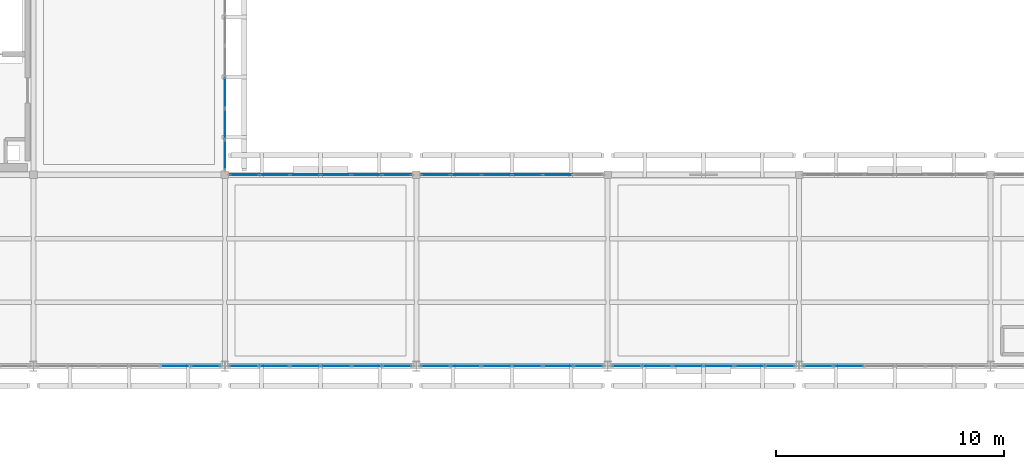
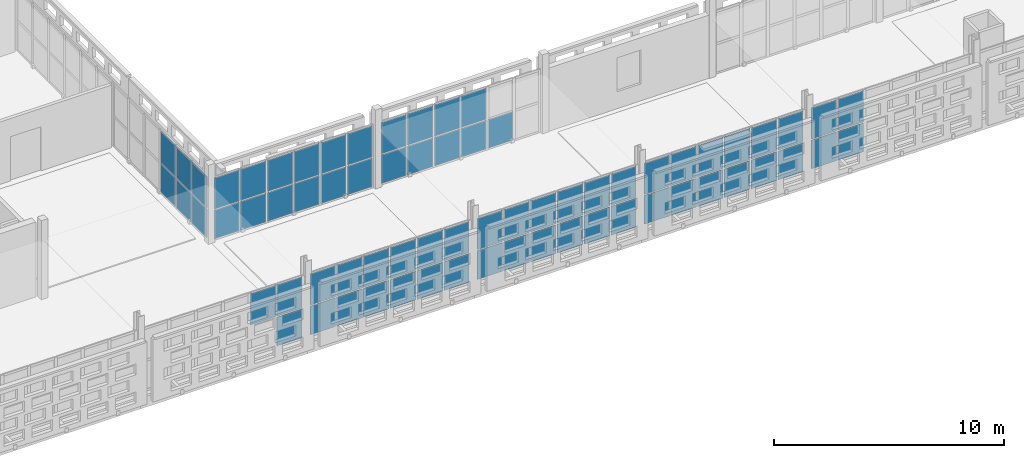
# One storey, part 76 of 140: 70 plates, 8 elements without a shape of their own.
"""IFC4 building model written with IfcOpenShell, lengths in metres."""

from ifc_helpers import new_model, si_unit, direction, frame, origin, origin_2d, place, context, subcontext, project, spatial, rectangle, extrude, material, layer, layer_set, type_object, element, aggregate, save


model = new_model("IFC4")

# Units and contexts
model_context = context("Model", 3, precision=1e-05, world=origin(), true_north=direction((0.0, 1.0)))
body_context = subcontext(model_context, "Body", "Model", "MODEL_VIEW")
ifc_project = project(units=[si_unit("LENGTHUNIT", "METRE"), si_unit("AREAUNIT", "SQUARE_METRE"), si_unit("VOLUMEUNIT", "CUBIC_METRE"), si_unit("PLANEANGLEUNIT", "RADIAN"), si_unit("MASSUNIT", "GRAM", prefix="KILO")], contexts=[model_context])

# Site, building, storey
site_placement = place(None, origin())
site = spatial("IfcSite", under=ifc_project, at=site_placement, CompositionType="ELEMENT")
building_placement = place(site_placement, origin())
building = spatial("IfcBuilding", under=site, at=building_placement, Name="Varnapada Polytechnic", CompositionType="ELEMENT")
storey_placement = place(building_placement, frame((0.0, 0.0, 13.800048828125)))
storey = spatial("IfcBuildingStorey", under=building, at=storey_placement, Name="L03", CompositionType="ELEMENT", Elevation=13.800048828125)

# Curtain wall, plates
ifc_material = material(Name="Double low-E laminated glass", Category="glass")
ifc_layer_1 = layer(ifc_material, 0.159912109375)
ifc_layer_set_1 = layer_set([ifc_layer_1], Name="Double low-E laminated glass")
curtain_wall_type_1 = type_object("IfcCurtainWallType", Name="Curtain Wall CW-01", PredefinedType="NOTDEFINED", material=ifc_layer_set_1)
curtain_wall_1_placement = place(storey_placement, origin())
curtain_wall_1 = element("IfcCurtainWall", 1, at=curtain_wall_1_placement, inside=storey, type_object=curtain_wall_type_1, Name="L03 unitised curtain wall CW-01 (229)", PredefinedType="NOTDEFINED")
ifc_layer_2 = layer(ifc_material, 0.028076171875)
ifc_layer_set_2 = layer_set([ifc_layer_2], Name="Double low-E laminated glass")
plate_type = type_object("IfcPlateType", Name="Curtain Panel PNL-01", PredefinedType="CURTAIN_PANEL", material=ifc_layer_set_2)
plate_1_placement = place(storey_placement, frame((66.360107421875, 84.0, 0.06005859375), z_axis=(0.0, 0.0, 1.0), x_axis=(-1.0, 0.0, 0.0)))
plate_1 = element("IfcPlate", 2, at=plate_1_placement, type_object=plate_type, Name="CW-01 panel 1.1", PredefinedType="CURTAIN_PANEL", context=body_context, shape_type="SweptSolid", body=[
    extrude(rectangle(XDim=1.260009765625, YDim=0.028076171875, at=origin_2d()), origin(), (0.0, 0.0, 1.0), 1.522705078125),
])
plate_2_placement = place(storey_placement, frame((66.360107421875, 84.0, 1.642822265625), z_axis=(0.0, 0.0, 1.0), x_axis=(-1.0, 0.0, 0.0)))
plate_2 = element("IfcPlate", 3, at=plate_2_placement, type_object=plate_type, Name="CW-01 panel 1.2", PredefinedType="CURTAIN_PANEL", context=body_context, shape_type="SweptSolid", body=[
    extrude(rectangle(XDim=1.260009765625, YDim=0.028076171875, at=origin_2d()), origin(), (0.0, 0.0, 1.0), 1.6572265625),
])
plate_3_placement = place(storey_placement, frame((65.02490234375, 84.0, 1.642822265625), z_axis=(0.0, 0.0, 1.0), x_axis=(-1.0, 0.0, 0.0)))
plate_3 = element("IfcPlate", 4, at=plate_3_placement, type_object=plate_type, Name="CW-01 panel 2.2", PredefinedType="CURTAIN_PANEL", context=body_context, shape_type="SweptSolid", body=[
    extrude(rectangle(XDim=1.2900390625, YDim=0.028076171875, at=origin_2d()), origin(), (0.0, 0.0, 1.0), 1.6572265625),
])
aggregate(curtain_wall_1, [plate_1, plate_2, plate_3])

ifc_layer_3 = layer(ifc_material, 0.159912109375)
ifc_layer_set_3 = layer_set([ifc_layer_3], Name="Double low-E laminated glass")
curtain_wall_type_2 = type_object("IfcCurtainWallType", Name="Curtain Wall CW-02", PredefinedType="NOTDEFINED", material=ifc_layer_set_3)
curtain_wall_2_placement = place(storey_placement, origin())
curtain_wall_2 = element("IfcCurtainWall", 5, at=curtain_wall_2_placement, inside=storey, type_object=curtain_wall_type_2, Name="L03 unitised curtain wall CW-02 (230)", PredefinedType="NOTDEFINED")
plate_4_placement = place(storey_placement, frame((67.199951171875, 95.999267578125, 0.06005859375), z_axis=(0.0, 0.0, 1.0), x_axis=(0.0, -1.0, 0.0)))
plate_4 = element("IfcPlate", 6, at=plate_4_placement, type_object=plate_type, Name="CW-02 panel 4.1", PredefinedType="CURTAIN_PANEL", context=body_context, shape_type="SweptSolid", body=[
    extrude(rectangle(XDim=1.311767578125, YDim=0.028076171875, at=origin_2d()), origin(), (0.0, 0.0, 1.0), 1.522705078125),
])
plate_5_placement = place(storey_placement, frame((67.199951171875, 95.999267578125, 1.642822265625), z_axis=(0.0, 0.0, 1.0), x_axis=(0.0, -1.0, 0.0)))
plate_5 = element("IfcPlate", 7, at=plate_5_placement, type_object=plate_type, Name="CW-02 panel 4.2", PredefinedType="CURTAIN_PANEL", context=body_context, shape_type="SweptSolid", body=[
    extrude(rectangle(XDim=1.311767578125, YDim=0.028076171875, at=origin_2d()), origin(), (0.0, 0.0, 1.0), 1.6572265625),
])
plate_6_placement = place(storey_placement, frame((67.199951171875, 94.62744140625, 0.06005859375), z_axis=(0.0, 0.0, 1.0), x_axis=(0.0, -1.0, 0.0)))
plate_6 = element("IfcPlate", 8, at=plate_6_placement, type_object=plate_type, Name="CW-02 panel 5.1", PredefinedType="CURTAIN_PANEL", context=body_context, shape_type="SweptSolid", body=[
    extrude(rectangle(XDim=1.311767578125, YDim=0.028076171875, at=origin_2d()), origin(), (0.0, 0.0, 1.0), 1.522705078125),
])
plate_7_placement = place(storey_placement, frame((67.199951171875, 94.62744140625, 1.642822265625), z_axis=(0.0, 0.0, 1.0), x_axis=(0.0, -1.0, 0.0)))
plate_7 = element("IfcPlate", 9, at=plate_7_placement, type_object=plate_type, Name="CW-02 panel 5.2", PredefinedType="CURTAIN_PANEL", context=body_context, shape_type="SweptSolid", body=[
    extrude(rectangle(XDim=1.311767578125, YDim=0.028076171875, at=origin_2d()), origin(), (0.0, 0.0, 1.0), 1.6572265625),
])
plate_8_placement = place(storey_placement, frame((67.199951171875, 93.270751953125, 0.06005859375), z_axis=(0.0, 0.0, 1.0), x_axis=(0.0, -1.0, 0.0)))
plate_8 = element("IfcPlate", 10, at=plate_8_placement, type_object=plate_type, Name="CW-02 panel 6.1", PredefinedType="CURTAIN_PANEL", context=body_context, shape_type="SweptSolid", body=[
    extrude(rectangle(XDim=1.28173828125, YDim=0.028076171875, at=origin_2d()), origin(), (0.0, 0.0, 1.0), 1.522705078125),
])
plate_9_placement = place(storey_placement, frame((67.199951171875, 93.270751953125, 1.642822265625), z_axis=(0.0, 0.0, 1.0), x_axis=(0.0, -1.0, 0.0)))
plate_9 = element("IfcPlate", 11, at=plate_9_placement, type_object=plate_type, Name="CW-02 panel 6.2", PredefinedType="CURTAIN_PANEL", context=body_context, shape_type="SweptSolid", body=[
    extrude(rectangle(XDim=1.28173828125, YDim=0.028076171875, at=origin_2d()), origin(), (0.0, 0.0, 1.0), 1.6572265625),
])
aggregate(curtain_wall_2, [plate_4, plate_5, plate_6, plate_7, plate_8, plate_9])

curtain_wall_3_placement = place(storey_placement, origin())
curtain_wall_3 = element("IfcCurtainWall", 12, at=curtain_wall_3_placement, inside=storey, type_object=curtain_wall_type_1, Name="L03 unitised curtain wall CW-01 (234)", PredefinedType="NOTDEFINED")
plate_10_placement = place(storey_placement, frame((74.760009765625, 84.0, 0.06005859375), z_axis=(0.0, 0.0, 1.0), x_axis=(-1.0, 0.0, 0.0)))
plate_10 = element("IfcPlate", 13, at=plate_10_placement, type_object=plate_type, Name="CW-01 panel 1.1", PredefinedType="CURTAIN_PANEL", context=body_context, shape_type="SweptSolid", body=[
    extrude(rectangle(XDim=1.260009765625, YDim=0.028076171875, at=origin_2d()), origin(), (0.0, 0.0, 1.0), 1.522705078125),
])
plate_11_placement = place(storey_placement, frame((74.760009765625, 84.0, 1.642822265625), z_axis=(0.0, 0.0, 1.0), x_axis=(-1.0, 0.0, 0.0)))
plate_11 = element("IfcPlate", 14, at=plate_11_placement, type_object=plate_type, Name="CW-01 panel 1.2", PredefinedType="CURTAIN_PANEL", context=body_context, shape_type="SweptSolid", body=[
    extrude(rectangle(XDim=1.260009765625, YDim=0.028076171875, at=origin_2d()), origin(), (0.0, 0.0, 1.0), 1.6572265625),
])
plate_12_placement = place(storey_placement, frame((73.425048828125, 84.0, 0.06005859375), z_axis=(0.0, 0.0, 1.0), x_axis=(-1.0, 0.0, 0.0)))
plate_12 = element("IfcPlate", 15, at=plate_12_placement, type_object=plate_type, Name="CW-01 panel 2.1", PredefinedType="CURTAIN_PANEL", context=body_context, shape_type="SweptSolid", body=[
    extrude(rectangle(XDim=1.2900390625, YDim=0.028076171875, at=origin_2d()), origin(), (0.0, 0.0, 1.0), 1.522705078125),
])
plate_13_placement = place(storey_placement, frame((73.425048828125, 84.0, 1.642822265625), z_axis=(0.0, 0.0, 1.0), x_axis=(-1.0, 0.0, 0.0)))
plate_13 = element("IfcPlate", 16, at=plate_13_placement, type_object=plate_type, Name="CW-01 panel 2.2", PredefinedType="CURTAIN_PANEL", context=body_context, shape_type="SweptSolid", body=[
    extrude(rectangle(XDim=1.2900390625, YDim=0.028076171875, at=origin_2d()), origin(), (0.0, 0.0, 1.0), 1.6572265625),
])
plate_14_placement = place(storey_placement, frame((72.074951171875, 84.0, 0.06005859375), z_axis=(0.0, 0.0, 1.0), x_axis=(-1.0, 0.0, 0.0)))
plate_14 = element("IfcPlate", 17, at=plate_14_placement, type_object=plate_type, Name="CW-01 panel 3.1", PredefinedType="CURTAIN_PANEL", context=body_context, shape_type="SweptSolid", body=[
    extrude(rectangle(XDim=1.2900390625, YDim=0.028076171875, at=origin_2d()), origin(), (0.0, 0.0, 1.0), 1.522705078125),
])
plate_15_placement = place(storey_placement, frame((72.074951171875, 84.0, 1.642822265625), z_axis=(0.0, 0.0, 1.0), x_axis=(-1.0, 0.0, 0.0)))
plate_15 = element("IfcPlate", 18, at=plate_15_placement, type_object=plate_type, Name="CW-01 panel 3.2", PredefinedType="CURTAIN_PANEL", context=body_context, shape_type="SweptSolid", body=[
    extrude(rectangle(XDim=1.2900390625, YDim=0.028076171875, at=origin_2d()), origin(), (0.0, 0.0, 1.0), 1.6572265625),
])
plate_16_placement = place(storey_placement, frame((70.72509765625, 84.0, 0.06005859375), z_axis=(0.0, 0.0, 1.0), x_axis=(-1.0, 0.0, 0.0)))
plate_16 = element("IfcPlate", 19, at=plate_16_placement, type_object=plate_type, Name="CW-01 panel 4.1", PredefinedType="CURTAIN_PANEL", context=body_context, shape_type="SweptSolid", body=[
    extrude(rectangle(XDim=1.2900390625, YDim=0.028076171875, at=origin_2d()), origin(), (0.0, 0.0, 1.0), 1.522705078125),
])
plate_17_placement = place(storey_placement, frame((70.72509765625, 84.0, 1.642822265625), z_axis=(0.0, 0.0, 1.0), x_axis=(-1.0, 0.0, 0.0)))
plate_17 = element("IfcPlate", 20, at=plate_17_placement, type_object=plate_type, Name="CW-01 panel 4.2", PredefinedType="CURTAIN_PANEL", context=body_context, shape_type="SweptSolid", body=[
    extrude(rectangle(XDim=1.2900390625, YDim=0.028076171875, at=origin_2d()), origin(), (0.0, 0.0, 1.0), 1.6572265625),
])
plate_18_placement = place(storey_placement, frame((69.375, 84.0, 0.06005859375), z_axis=(0.0, 0.0, 1.0), x_axis=(-1.0, 0.0, 0.0)))
plate_18 = element("IfcPlate", 21, at=plate_18_placement, type_object=plate_type, Name="CW-01 panel 5.1", PredefinedType="CURTAIN_PANEL", context=body_context, shape_type="SweptSolid", body=[
    extrude(rectangle(XDim=1.2900390625, YDim=0.028076171875, at=origin_2d()), origin(), (0.0, 0.0, 1.0), 1.522705078125),
])
plate_19_placement = place(storey_placement, frame((69.375, 84.0, 1.642822265625), z_axis=(0.0, 0.0, 1.0), x_axis=(-1.0, 0.0, 0.0)))
plate_19 = element("IfcPlate", 22, at=plate_19_placement, type_object=plate_type, Name="CW-01 panel 5.2", PredefinedType="CURTAIN_PANEL", context=body_context, shape_type="SweptSolid", body=[
    extrude(rectangle(XDim=1.2900390625, YDim=0.028076171875, at=origin_2d()), origin(), (0.0, 0.0, 1.0), 1.6572265625),
])
plate_20_placement = place(storey_placement, frame((68.0400390625, 84.0, 0.06005859375), z_axis=(0.0, 0.0, 1.0), x_axis=(-1.0, 0.0, 0.0)))
plate_20 = element("IfcPlate", 23, at=plate_20_placement, type_object=plate_type, Name="CW-01 panel 6.1", PredefinedType="CURTAIN_PANEL", context=body_context, shape_type="SweptSolid", body=[
    extrude(rectangle(XDim=1.260009765625, YDim=0.028076171875, at=origin_2d()), origin(), (0.0, 0.0, 1.0), 1.522705078125),
])
plate_21_placement = place(storey_placement, frame((68.0400390625, 84.0, 1.642822265625), z_axis=(0.0, 0.0, 1.0), x_axis=(-1.0, 0.0, 0.0)))
plate_21 = element("IfcPlate", 24, at=plate_21_placement, type_object=plate_type, Name="CW-01 panel 6.2", PredefinedType="CURTAIN_PANEL", context=body_context, shape_type="SweptSolid", body=[
    extrude(rectangle(XDim=1.260009765625, YDim=0.028076171875, at=origin_2d()), origin(), (0.0, 0.0, 1.0), 1.6572265625),
])
aggregate(curtain_wall_3, [plate_10, plate_11, plate_12, plate_13, plate_14, plate_15, plate_16, plate_17, plate_18, plate_19, plate_20, plate_21])

curtain_wall_4_placement = place(storey_placement, origin())
curtain_wall_4 = element("IfcCurtainWall", 25, at=curtain_wall_4_placement, inside=storey, type_object=curtain_wall_type_2, Name="L03 unitised curtain wall CW-02 (235)", PredefinedType="NOTDEFINED")
plate_22_placement = place(storey_placement, frame((68.056640625, 92.39990234375, 0.06005859375), z_axis=(0.0, 0.0, 1.0), x_axis=(1.0, 0.0, 0.0)))
plate_22 = element("IfcPlate", 26, at=plate_22_placement, type_object=plate_type, Name="CW-02 panel 1.1", PredefinedType="CURTAIN_PANEL", context=body_context, shape_type="SweptSolid", body=[
    extrude(rectangle(XDim=1.25341796875, YDim=0.028076171875, at=origin_2d()), origin(), (0.0, 0.0, 1.0), 1.522705078125),
])
plate_23_placement = place(storey_placement, frame((68.056640625, 92.39990234375, 1.642822265625), z_axis=(0.0, 0.0, 1.0), x_axis=(1.0, 0.0, 0.0)))
plate_23 = element("IfcPlate", 27, at=plate_23_placement, type_object=plate_type, Name="CW-02 panel 1.2", PredefinedType="CURTAIN_PANEL", context=body_context, shape_type="SweptSolid", body=[
    extrude(rectangle(XDim=1.25341796875, YDim=0.028076171875, at=origin_2d()), origin(), (0.0, 0.0, 1.0), 1.6572265625),
])
plate_24_placement = place(storey_placement, frame((69.385009765625, 92.39990234375, 0.06005859375), z_axis=(0.0, 0.0, 1.0), x_axis=(1.0, 0.0, 0.0)))
plate_24 = element("IfcPlate", 28, at=plate_24_placement, type_object=plate_type, Name="CW-02 panel 2.1", PredefinedType="CURTAIN_PANEL", context=body_context, shape_type="SweptSolid", body=[
    extrude(rectangle(XDim=1.283447265625, YDim=0.028076171875, at=origin_2d()), origin(), (0.0, 0.0, 1.0), 1.522705078125),
])
plate_25_placement = place(storey_placement, frame((69.385009765625, 92.39990234375, 1.642822265625), z_axis=(0.0, 0.0, 1.0), x_axis=(1.0, 0.0, 0.0)))
plate_25 = element("IfcPlate", 29, at=plate_25_placement, type_object=plate_type, Name="CW-02 panel 2.2", PredefinedType="CURTAIN_PANEL", context=body_context, shape_type="SweptSolid", body=[
    extrude(rectangle(XDim=1.283447265625, YDim=0.028076171875, at=origin_2d()), origin(), (0.0, 0.0, 1.0), 1.6572265625),
])
plate_26_placement = place(storey_placement, frame((70.728271484375, 92.39990234375, 0.06005859375), z_axis=(0.0, 0.0, 1.0), x_axis=(1.0, 0.0, 0.0)))
plate_26 = element("IfcPlate", 30, at=plate_26_placement, type_object=plate_type, Name="CW-02 panel 3.1", PredefinedType="CURTAIN_PANEL", context=body_context, shape_type="SweptSolid", body=[
    extrude(rectangle(XDim=1.283447265625, YDim=0.028076171875, at=origin_2d()), origin(), (0.0, 0.0, 1.0), 1.522705078125),
])
plate_27_placement = place(storey_placement, frame((70.728271484375, 92.39990234375, 1.642822265625), z_axis=(0.0, 0.0, 1.0), x_axis=(1.0, 0.0, 0.0)))
plate_27 = element("IfcPlate", 31, at=plate_27_placement, type_object=plate_type, Name="CW-02 panel 3.2", PredefinedType="CURTAIN_PANEL", context=body_context, shape_type="SweptSolid", body=[
    extrude(rectangle(XDim=1.283447265625, YDim=0.028076171875, at=origin_2d()), origin(), (0.0, 0.0, 1.0), 1.6572265625),
])
plate_28_placement = place(storey_placement, frame((72.07177734375, 92.39990234375, 0.06005859375), z_axis=(0.0, 0.0, 1.0), x_axis=(1.0, 0.0, 0.0)))
plate_28 = element("IfcPlate", 32, at=plate_28_placement, type_object=plate_type, Name="CW-02 panel 4.1", PredefinedType="CURTAIN_PANEL", context=body_context, shape_type="SweptSolid", body=[
    extrude(rectangle(XDim=1.283447265625, YDim=0.028076171875, at=origin_2d()), origin(), (0.0, 0.0, 1.0), 1.522705078125),
])
plate_29_placement = place(storey_placement, frame((72.07177734375, 92.39990234375, 1.642822265625), z_axis=(0.0, 0.0, 1.0), x_axis=(1.0, 0.0, 0.0)))
plate_29 = element("IfcPlate", 33, at=plate_29_placement, type_object=plate_type, Name="CW-02 panel 4.2", PredefinedType="CURTAIN_PANEL", context=body_context, shape_type="SweptSolid", body=[
    extrude(rectangle(XDim=1.283447265625, YDim=0.028076171875, at=origin_2d()), origin(), (0.0, 0.0, 1.0), 1.6572265625),
])
plate_30_placement = place(storey_placement, frame((73.4150390625, 92.39990234375, 0.06005859375), z_axis=(0.0, 0.0, 1.0), x_axis=(1.0, 0.0, 0.0)))
plate_30 = element("IfcPlate", 34, at=plate_30_placement, type_object=plate_type, Name="CW-02 panel 5.1", PredefinedType="CURTAIN_PANEL", context=body_context, shape_type="SweptSolid", body=[
    extrude(rectangle(XDim=1.283447265625, YDim=0.028076171875, at=origin_2d()), origin(), (0.0, 0.0, 1.0), 1.522705078125),
])
plate_31_placement = place(storey_placement, frame((73.4150390625, 92.39990234375, 1.642822265625), z_axis=(0.0, 0.0, 1.0), x_axis=(1.0, 0.0, 0.0)))
plate_31 = element("IfcPlate", 35, at=plate_31_placement, type_object=plate_type, Name="CW-02 panel 5.2", PredefinedType="CURTAIN_PANEL", context=body_context, shape_type="SweptSolid", body=[
    extrude(rectangle(XDim=1.283447265625, YDim=0.028076171875, at=origin_2d()), origin(), (0.0, 0.0, 1.0), 1.6572265625),
])
plate_32_placement = place(storey_placement, frame((74.743408203125, 92.39990234375, 0.06005859375), z_axis=(0.0, 0.0, 1.0), x_axis=(1.0, 0.0, 0.0)))
plate_32 = element("IfcPlate", 36, at=plate_32_placement, type_object=plate_type, Name="CW-02 panel 6.1", PredefinedType="CURTAIN_PANEL", context=body_context, shape_type="SweptSolid", body=[
    extrude(rectangle(XDim=1.25341796875, YDim=0.028076171875, at=origin_2d()), origin(), (0.0, 0.0, 1.0), 1.522705078125),
])
plate_33_placement = place(storey_placement, frame((74.743408203125, 92.39990234375, 1.642822265625), z_axis=(0.0, 0.0, 1.0), x_axis=(1.0, 0.0, 0.0)))
plate_33 = element("IfcPlate", 37, at=plate_33_placement, type_object=plate_type, Name="CW-02 panel 6.2", PredefinedType="CURTAIN_PANEL", context=body_context, shape_type="SweptSolid", body=[
    extrude(rectangle(XDim=1.25341796875, YDim=0.028076171875, at=origin_2d()), origin(), (0.0, 0.0, 1.0), 1.6572265625),
])
aggregate(curtain_wall_4, [plate_22, plate_23, plate_24, plate_25, plate_26, plate_27, plate_28, plate_29, plate_30, plate_31, plate_32, plate_33])

curtain_wall_5_placement = place(storey_placement, origin())
curtain_wall_5 = element("IfcCurtainWall", 38, at=curtain_wall_5_placement, inside=storey, type_object=curtain_wall_type_1, Name="L03 unitised curtain wall CW-01 (236)", PredefinedType="NOTDEFINED")
plate_34_placement = place(storey_placement, frame((83.159912109375, 84.0, 0.06005859375), z_axis=(0.0, 0.0, 1.0), x_axis=(-1.0, 0.0, 0.0)))
plate_34 = element("IfcPlate", 39, at=plate_34_placement, type_object=plate_type, Name="CW-01 panel 1.1", PredefinedType="CURTAIN_PANEL", context=body_context, shape_type="SweptSolid", body=[
    extrude(rectangle(XDim=1.260009765625, YDim=0.028076171875, at=origin_2d()), origin(), (0.0, 0.0, 1.0), 1.522705078125),
])
plate_35_placement = place(storey_placement, frame((83.159912109375, 84.0, 1.642822265625), z_axis=(0.0, 0.0, 1.0), x_axis=(-1.0, 0.0, 0.0)))
plate_35 = element("IfcPlate", 40, at=plate_35_placement, type_object=plate_type, Name="CW-01 panel 1.2", PredefinedType="CURTAIN_PANEL", context=body_context, shape_type="SweptSolid", body=[
    extrude(rectangle(XDim=1.260009765625, YDim=0.028076171875, at=origin_2d()), origin(), (0.0, 0.0, 1.0), 1.6572265625),
])
plate_36_placement = place(storey_placement, frame((81.824951171875, 84.0, 0.06005859375), z_axis=(0.0, 0.0, 1.0), x_axis=(-1.0, 0.0, 0.0)))
plate_36 = element("IfcPlate", 41, at=plate_36_placement, type_object=plate_type, Name="CW-01 panel 2.1", PredefinedType="CURTAIN_PANEL", context=body_context, shape_type="SweptSolid", body=[
    extrude(rectangle(XDim=1.2900390625, YDim=0.028076171875, at=origin_2d()), origin(), (0.0, 0.0, 1.0), 1.522705078125),
])
plate_37_placement = place(storey_placement, frame((81.824951171875, 84.0, 1.642822265625), z_axis=(0.0, 0.0, 1.0), x_axis=(-1.0, 0.0, 0.0)))
plate_37 = element("IfcPlate", 42, at=plate_37_placement, type_object=plate_type, Name="CW-01 panel 2.2", PredefinedType="CURTAIN_PANEL", context=body_context, shape_type="SweptSolid", body=[
    extrude(rectangle(XDim=1.2900390625, YDim=0.028076171875, at=origin_2d()), origin(), (0.0, 0.0, 1.0), 1.6572265625),
])
plate_38_placement = place(storey_placement, frame((80.47509765625, 84.0, 0.06005859375), z_axis=(0.0, 0.0, 1.0), x_axis=(-1.0, 0.0, 0.0)))
plate_38 = element("IfcPlate", 43, at=plate_38_placement, type_object=plate_type, Name="CW-01 panel 3.1", PredefinedType="CURTAIN_PANEL", context=body_context, shape_type="SweptSolid", body=[
    extrude(rectangle(XDim=1.2900390625, YDim=0.028076171875, at=origin_2d()), origin(), (0.0, 0.0, 1.0), 1.522705078125),
])
plate_39_placement = place(storey_placement, frame((80.47509765625, 84.0, 1.642822265625), z_axis=(0.0, 0.0, 1.0), x_axis=(-1.0, 0.0, 0.0)))
plate_39 = element("IfcPlate", 44, at=plate_39_placement, type_object=plate_type, Name="CW-01 panel 3.2", PredefinedType="CURTAIN_PANEL", context=body_context, shape_type="SweptSolid", body=[
    extrude(rectangle(XDim=1.2900390625, YDim=0.028076171875, at=origin_2d()), origin(), (0.0, 0.0, 1.0), 1.6572265625),
])
plate_40_placement = place(storey_placement, frame((79.125, 84.0, 0.06005859375), z_axis=(0.0, 0.0, 1.0), x_axis=(-1.0, 0.0, 0.0)))
plate_40 = element("IfcPlate", 45, at=plate_40_placement, type_object=plate_type, Name="CW-01 panel 4.1", PredefinedType="CURTAIN_PANEL", context=body_context, shape_type="SweptSolid", body=[
    extrude(rectangle(XDim=1.2900390625, YDim=0.028076171875, at=origin_2d()), origin(), (0.0, 0.0, 1.0), 1.522705078125),
])
plate_41_placement = place(storey_placement, frame((79.125, 84.0, 1.642822265625), z_axis=(0.0, 0.0, 1.0), x_axis=(-1.0, 0.0, 0.0)))
plate_41 = element("IfcPlate", 46, at=plate_41_placement, type_object=plate_type, Name="CW-01 panel 4.2", PredefinedType="CURTAIN_PANEL", context=body_context, shape_type="SweptSolid", body=[
    extrude(rectangle(XDim=1.2900390625, YDim=0.028076171875, at=origin_2d()), origin(), (0.0, 0.0, 1.0), 1.6572265625),
])
plate_42_placement = place(storey_placement, frame((77.77490234375, 84.0, 0.06005859375), z_axis=(0.0, 0.0, 1.0), x_axis=(-1.0, 0.0, 0.0)))
plate_42 = element("IfcPlate", 47, at=plate_42_placement, type_object=plate_type, Name="CW-01 panel 5.1", PredefinedType="CURTAIN_PANEL", context=body_context, shape_type="SweptSolid", body=[
    extrude(rectangle(XDim=1.2900390625, YDim=0.028076171875, at=origin_2d()), origin(), (0.0, 0.0, 1.0), 1.522705078125),
])
plate_43_placement = place(storey_placement, frame((77.77490234375, 84.0, 1.642822265625), z_axis=(0.0, 0.0, 1.0), x_axis=(-1.0, 0.0, 0.0)))
plate_43 = element("IfcPlate", 48, at=plate_43_placement, type_object=plate_type, Name="CW-01 panel 5.2", PredefinedType="CURTAIN_PANEL", context=body_context, shape_type="SweptSolid", body=[
    extrude(rectangle(XDim=1.2900390625, YDim=0.028076171875, at=origin_2d()), origin(), (0.0, 0.0, 1.0), 1.6572265625),
])
plate_44_placement = place(storey_placement, frame((76.43994140625, 84.0, 0.06005859375), z_axis=(0.0, 0.0, 1.0), x_axis=(-1.0, 0.0, 0.0)))
plate_44 = element("IfcPlate", 49, at=plate_44_placement, type_object=plate_type, Name="CW-01 panel 6.1", PredefinedType="CURTAIN_PANEL", context=body_context, shape_type="SweptSolid", body=[
    extrude(rectangle(XDim=1.260009765625, YDim=0.028076171875, at=origin_2d()), origin(), (0.0, 0.0, 1.0), 1.522705078125),
])
plate_45_placement = place(storey_placement, frame((76.43994140625, 84.0, 1.642822265625), z_axis=(0.0, 0.0, 1.0), x_axis=(-1.0, 0.0, 0.0)))
plate_45 = element("IfcPlate", 50, at=plate_45_placement, type_object=plate_type, Name="CW-01 panel 6.2", PredefinedType="CURTAIN_PANEL", context=body_context, shape_type="SweptSolid", body=[
    extrude(rectangle(XDim=1.260009765625, YDim=0.028076171875, at=origin_2d()), origin(), (0.0, 0.0, 1.0), 1.6572265625),
])
aggregate(curtain_wall_5, [plate_34, plate_35, plate_36, plate_37, plate_38, plate_39, plate_40, plate_41, plate_42, plate_43, plate_44, plate_45])

curtain_wall_6_placement = place(storey_placement, origin())
curtain_wall_6 = element("IfcCurtainWall", 51, at=curtain_wall_6_placement, inside=storey, type_object=curtain_wall_type_2, Name="L03 unitised curtain wall CW-02 (237)", PredefinedType="NOTDEFINED")
plate_46_placement = place(storey_placement, frame((76.456787109375, 92.39990234375, 0.06005859375), z_axis=(0.0, 0.0, 1.0), x_axis=(1.0, 0.0, 0.0)))
plate_46 = element("IfcPlate", 52, at=plate_46_placement, type_object=plate_type, Name="CW-02 panel 1.1", PredefinedType="CURTAIN_PANEL", context=body_context, shape_type="SweptSolid", body=[
    extrude(rectangle(XDim=1.25341796875, YDim=0.028076171875, at=origin_2d()), origin(), (0.0, 0.0, 1.0), 1.522705078125),
])
plate_47_placement = place(storey_placement, frame((76.456787109375, 92.39990234375, 1.642822265625), z_axis=(0.0, 0.0, 1.0), x_axis=(1.0, 0.0, 0.0)))
plate_47 = element("IfcPlate", 53, at=plate_47_placement, type_object=plate_type, Name="CW-02 panel 1.2", PredefinedType="CURTAIN_PANEL", context=body_context, shape_type="SweptSolid", body=[
    extrude(rectangle(XDim=1.25341796875, YDim=0.028076171875, at=origin_2d()), origin(), (0.0, 0.0, 1.0), 1.6572265625),
])
plate_48_placement = place(storey_placement, frame((77.784912109375, 92.39990234375, 0.06005859375), z_axis=(0.0, 0.0, 1.0), x_axis=(1.0, 0.0, 0.0)))
plate_48 = element("IfcPlate", 54, at=plate_48_placement, type_object=plate_type, Name="CW-02 panel 2.1", PredefinedType="CURTAIN_PANEL", context=body_context, shape_type="SweptSolid", body=[
    extrude(rectangle(XDim=1.283447265625, YDim=0.028076171875, at=origin_2d()), origin(), (0.0, 0.0, 1.0), 1.522705078125),
])
plate_49_placement = place(storey_placement, frame((77.784912109375, 92.39990234375, 1.642822265625), z_axis=(0.0, 0.0, 1.0), x_axis=(1.0, 0.0, 0.0)))
plate_49 = element("IfcPlate", 55, at=plate_49_placement, type_object=plate_type, Name="CW-02 panel 2.2", PredefinedType="CURTAIN_PANEL", context=body_context, shape_type="SweptSolid", body=[
    extrude(rectangle(XDim=1.283447265625, YDim=0.028076171875, at=origin_2d()), origin(), (0.0, 0.0, 1.0), 1.6572265625),
])
plate_50_placement = place(storey_placement, frame((79.12841796875, 92.39990234375, 0.06005859375), z_axis=(0.0, 0.0, 1.0), x_axis=(1.0, 0.0, 0.0)))
plate_50 = element("IfcPlate", 56, at=plate_50_placement, type_object=plate_type, Name="CW-02 panel 3.1", PredefinedType="CURTAIN_PANEL", context=body_context, shape_type="SweptSolid", body=[
    extrude(rectangle(XDim=1.283447265625, YDim=0.028076171875, at=origin_2d()), origin(), (0.0, 0.0, 1.0), 1.522705078125),
])
plate_51_placement = place(storey_placement, frame((79.12841796875, 92.39990234375, 1.642822265625), z_axis=(0.0, 0.0, 1.0), x_axis=(1.0, 0.0, 0.0)))
plate_51 = element("IfcPlate", 57, at=plate_51_placement, type_object=plate_type, Name="CW-02 panel 3.2", PredefinedType="CURTAIN_PANEL", context=body_context, shape_type="SweptSolid", body=[
    extrude(rectangle(XDim=1.283447265625, YDim=0.028076171875, at=origin_2d()), origin(), (0.0, 0.0, 1.0), 1.6572265625),
])
plate_52_placement = place(storey_placement, frame((80.4716796875, 92.39990234375, 0.06005859375), z_axis=(0.0, 0.0, 1.0), x_axis=(1.0, 0.0, 0.0)))
plate_52 = element("IfcPlate", 58, at=plate_52_placement, type_object=plate_type, Name="CW-02 panel 4.1", PredefinedType="CURTAIN_PANEL", context=body_context, shape_type="SweptSolid", body=[
    extrude(rectangle(XDim=1.283447265625, YDim=0.028076171875, at=origin_2d()), origin(), (0.0, 0.0, 1.0), 1.522705078125),
])
plate_53_placement = place(storey_placement, frame((80.4716796875, 92.39990234375, 1.642822265625), z_axis=(0.0, 0.0, 1.0), x_axis=(1.0, 0.0, 0.0)))
plate_53 = element("IfcPlate", 59, at=plate_53_placement, type_object=plate_type, Name="CW-02 panel 4.2", PredefinedType="CURTAIN_PANEL", context=body_context, shape_type="SweptSolid", body=[
    extrude(rectangle(XDim=1.283447265625, YDim=0.028076171875, at=origin_2d()), origin(), (0.0, 0.0, 1.0), 1.6572265625),
])
plate_54_placement = place(storey_placement, frame((81.81494140625, 92.39990234375, 0.06005859375), z_axis=(0.0, 0.0, 1.0), x_axis=(1.0, 0.0, 0.0)))
plate_54 = element("IfcPlate", 60, at=plate_54_placement, type_object=plate_type, Name="CW-02 panel 5.1", PredefinedType="CURTAIN_PANEL", context=body_context, shape_type="SweptSolid", body=[
    extrude(rectangle(XDim=1.283447265625, YDim=0.028076171875, at=origin_2d()), origin(), (0.0, 0.0, 1.0), 1.522705078125),
])
aggregate(curtain_wall_6, [plate_46, plate_47, plate_48, plate_49, plate_50, plate_51, plate_52, plate_53, plate_54])

curtain_wall_7_placement = place(storey_placement, origin())
curtain_wall_7 = element("IfcCurtainWall", 61, at=curtain_wall_7_placement, inside=storey, type_object=curtain_wall_type_1, Name="L03 unitised curtain wall CW-01 (238)", PredefinedType="NOTDEFINED")
plate_55_placement = place(storey_placement, frame((91.56005859375, 84.0, 0.06005859375), z_axis=(0.0, 0.0, 1.0), x_axis=(-1.0, 0.0, 0.0)))
plate_55 = element("IfcPlate", 62, at=plate_55_placement, type_object=plate_type, Name="CW-01 panel 1.1", PredefinedType="CURTAIN_PANEL", context=body_context, shape_type="SweptSolid", body=[
    extrude(rectangle(XDim=1.260009765625, YDim=0.028076171875, at=origin_2d()), origin(), (0.0, 0.0, 1.0), 1.522705078125),
])
plate_56_placement = place(storey_placement, frame((91.56005859375, 84.0, 1.642822265625), z_axis=(0.0, 0.0, 1.0), x_axis=(-1.0, 0.0, 0.0)))
plate_56 = element("IfcPlate", 63, at=plate_56_placement, type_object=plate_type, Name="CW-01 panel 1.2", PredefinedType="CURTAIN_PANEL", context=body_context, shape_type="SweptSolid", body=[
    extrude(rectangle(XDim=1.260009765625, YDim=0.028076171875, at=origin_2d()), origin(), (0.0, 0.0, 1.0), 1.6572265625),
])
plate_57_placement = place(storey_placement, frame((90.22509765625, 84.0, 0.06005859375), z_axis=(0.0, 0.0, 1.0), x_axis=(-1.0, 0.0, 0.0)))
plate_57 = element("IfcPlate", 64, at=plate_57_placement, type_object=plate_type, Name="CW-01 panel 2.1", PredefinedType="CURTAIN_PANEL", context=body_context, shape_type="SweptSolid", body=[
    extrude(rectangle(XDim=1.2900390625, YDim=0.028076171875, at=origin_2d()), origin(), (0.0, 0.0, 1.0), 1.522705078125),
])
plate_58_placement = place(storey_placement, frame((90.22509765625, 84.0, 1.642822265625), z_axis=(0.0, 0.0, 1.0), x_axis=(-1.0, 0.0, 0.0)))
plate_58 = element("IfcPlate", 65, at=plate_58_placement, type_object=plate_type, Name="CW-01 panel 2.2", PredefinedType="CURTAIN_PANEL", context=body_context, shape_type="SweptSolid", body=[
    extrude(rectangle(XDim=1.2900390625, YDim=0.028076171875, at=origin_2d()), origin(), (0.0, 0.0, 1.0), 1.6572265625),
])
plate_59_placement = place(storey_placement, frame((88.875, 84.0, 0.06005859375), z_axis=(0.0, 0.0, 1.0), x_axis=(-1.0, 0.0, 0.0)))
plate_59 = element("IfcPlate", 66, at=plate_59_placement, type_object=plate_type, Name="CW-01 panel 3.1", PredefinedType="CURTAIN_PANEL", context=body_context, shape_type="SweptSolid", body=[
    extrude(rectangle(XDim=1.2900390625, YDim=0.028076171875, at=origin_2d()), origin(), (0.0, 0.0, 1.0), 1.522705078125),
])
plate_60_placement = place(storey_placement, frame((88.875, 84.0, 1.642822265625), z_axis=(0.0, 0.0, 1.0), x_axis=(-1.0, 0.0, 0.0)))
plate_60 = element("IfcPlate", 67, at=plate_60_placement, type_object=plate_type, Name="CW-01 panel 3.2", PredefinedType="CURTAIN_PANEL", context=body_context, shape_type="SweptSolid", body=[
    extrude(rectangle(XDim=1.2900390625, YDim=0.028076171875, at=origin_2d()), origin(), (0.0, 0.0, 1.0), 1.6572265625),
])
plate_61_placement = place(storey_placement, frame((87.52490234375, 84.0, 0.06005859375), z_axis=(0.0, 0.0, 1.0), x_axis=(-1.0, 0.0, 0.0)))
plate_61 = element("IfcPlate", 68, at=plate_61_placement, type_object=plate_type, Name="CW-01 panel 4.1", PredefinedType="CURTAIN_PANEL", context=body_context, shape_type="SweptSolid", body=[
    extrude(rectangle(XDim=1.2900390625, YDim=0.028076171875, at=origin_2d()), origin(), (0.0, 0.0, 1.0), 1.522705078125),
])
plate_62_placement = place(storey_placement, frame((87.52490234375, 84.0, 1.642822265625), z_axis=(0.0, 0.0, 1.0), x_axis=(-1.0, 0.0, 0.0)))
plate_62 = element("IfcPlate", 69, at=plate_62_placement, type_object=plate_type, Name="CW-01 panel 4.2", PredefinedType="CURTAIN_PANEL", context=body_context, shape_type="SweptSolid", body=[
    extrude(rectangle(XDim=1.2900390625, YDim=0.028076171875, at=origin_2d()), origin(), (0.0, 0.0, 1.0), 1.6572265625),
])
plate_63_placement = place(storey_placement, frame((86.175048828125, 84.0, 0.06005859375), z_axis=(0.0, 0.0, 1.0), x_axis=(-1.0, 0.0, 0.0)))
plate_63 = element("IfcPlate", 70, at=plate_63_placement, type_object=plate_type, Name="CW-01 panel 5.1", PredefinedType="CURTAIN_PANEL", context=body_context, shape_type="SweptSolid", body=[
    extrude(rectangle(XDim=1.2900390625, YDim=0.028076171875, at=origin_2d()), origin(), (0.0, 0.0, 1.0), 1.522705078125),
])
plate_64_placement = place(storey_placement, frame((86.175048828125, 84.0, 1.642822265625), z_axis=(0.0, 0.0, 1.0), x_axis=(-1.0, 0.0, 0.0)))
plate_64 = element("IfcPlate", 71, at=plate_64_placement, type_object=plate_type, Name="CW-01 panel 5.2", PredefinedType="CURTAIN_PANEL", context=body_context, shape_type="SweptSolid", body=[
    extrude(rectangle(XDim=1.2900390625, YDim=0.028076171875, at=origin_2d()), origin(), (0.0, 0.0, 1.0), 1.6572265625),
])
plate_65_placement = place(storey_placement, frame((84.840087890625, 84.0, 0.06005859375), z_axis=(0.0, 0.0, 1.0), x_axis=(-1.0, 0.0, 0.0)))
plate_65 = element("IfcPlate", 72, at=plate_65_placement, type_object=plate_type, Name="CW-01 panel 6.1", PredefinedType="CURTAIN_PANEL", context=body_context, shape_type="SweptSolid", body=[
    extrude(rectangle(XDim=1.260009765625, YDim=0.028076171875, at=origin_2d()), origin(), (0.0, 0.0, 1.0), 1.522705078125),
])
plate_66_placement = place(storey_placement, frame((84.840087890625, 84.0, 1.642822265625), z_axis=(0.0, 0.0, 1.0), x_axis=(-1.0, 0.0, 0.0)))
plate_66 = element("IfcPlate", 73, at=plate_66_placement, type_object=plate_type, Name="CW-01 panel 6.2", PredefinedType="CURTAIN_PANEL", context=body_context, shape_type="SweptSolid", body=[
    extrude(rectangle(XDim=1.260009765625, YDim=0.028076171875, at=origin_2d()), origin(), (0.0, 0.0, 1.0), 1.6572265625),
])
aggregate(curtain_wall_7, [plate_55, plate_56, plate_57, plate_58, plate_59, plate_60, plate_61, plate_62, plate_63, plate_64, plate_65, plate_66])

curtain_wall_8_placement = place(storey_placement, origin())
curtain_wall_8 = element("IfcCurtainWall", 74, at=curtain_wall_8_placement, inside=storey, type_object=curtain_wall_type_1, Name="L03 unitised curtain wall CW-01 (239)", PredefinedType="NOTDEFINED")
plate_67_placement = place(storey_placement, frame((94.574951171875, 84.0, 0.06005859375), z_axis=(0.0, 0.0, 1.0), x_axis=(-1.0, 0.0, 0.0)))
plate_67 = element("IfcPlate", 75, at=plate_67_placement, type_object=plate_type, Name="CW-01 panel 5.1", PredefinedType="CURTAIN_PANEL", context=body_context, shape_type="SweptSolid", body=[
    extrude(rectangle(XDim=1.2900390625, YDim=0.028076171875, at=origin_2d()), origin(), (0.0, 0.0, 1.0), 1.522705078125),
])
plate_68_placement = place(storey_placement, frame((94.574951171875, 84.0, 1.642822265625), z_axis=(0.0, 0.0, 1.0), x_axis=(-1.0, 0.0, 0.0)))
plate_68 = element("IfcPlate", 76, at=plate_68_placement, type_object=plate_type, Name="CW-01 panel 5.2", PredefinedType="CURTAIN_PANEL", context=body_context, shape_type="SweptSolid", body=[
    extrude(rectangle(XDim=1.2900390625, YDim=0.028076171875, at=origin_2d()), origin(), (0.0, 0.0, 1.0), 1.6572265625),
])
plate_69_placement = place(storey_placement, frame((93.239990234375, 84.0, 0.06005859375), z_axis=(0.0, 0.0, 1.0), x_axis=(-1.0, 0.0, 0.0)))
plate_69 = element("IfcPlate", 77, at=plate_69_placement, type_object=plate_type, Name="CW-01 panel 6.1", PredefinedType="CURTAIN_PANEL", context=body_context, shape_type="SweptSolid", body=[
    extrude(rectangle(XDim=1.260009765625, YDim=0.028076171875, at=origin_2d()), origin(), (0.0, 0.0, 1.0), 1.522705078125),
])
plate_70_placement = place(storey_placement, frame((93.239990234375, 84.0, 1.642822265625), z_axis=(0.0, 0.0, 1.0), x_axis=(-1.0, 0.0, 0.0)))
plate_70 = element("IfcPlate", 78, at=plate_70_placement, type_object=plate_type, Name="CW-01 panel 6.2", PredefinedType="CURTAIN_PANEL", context=body_context, shape_type="SweptSolid", body=[
    extrude(rectangle(XDim=1.260009765625, YDim=0.028076171875, at=origin_2d()), origin(), (0.0, 0.0, 1.0), 1.6572265625),
])
aggregate(curtain_wall_8, [plate_67, plate_68, plate_69, plate_70])

save(model, "model.ifc")
